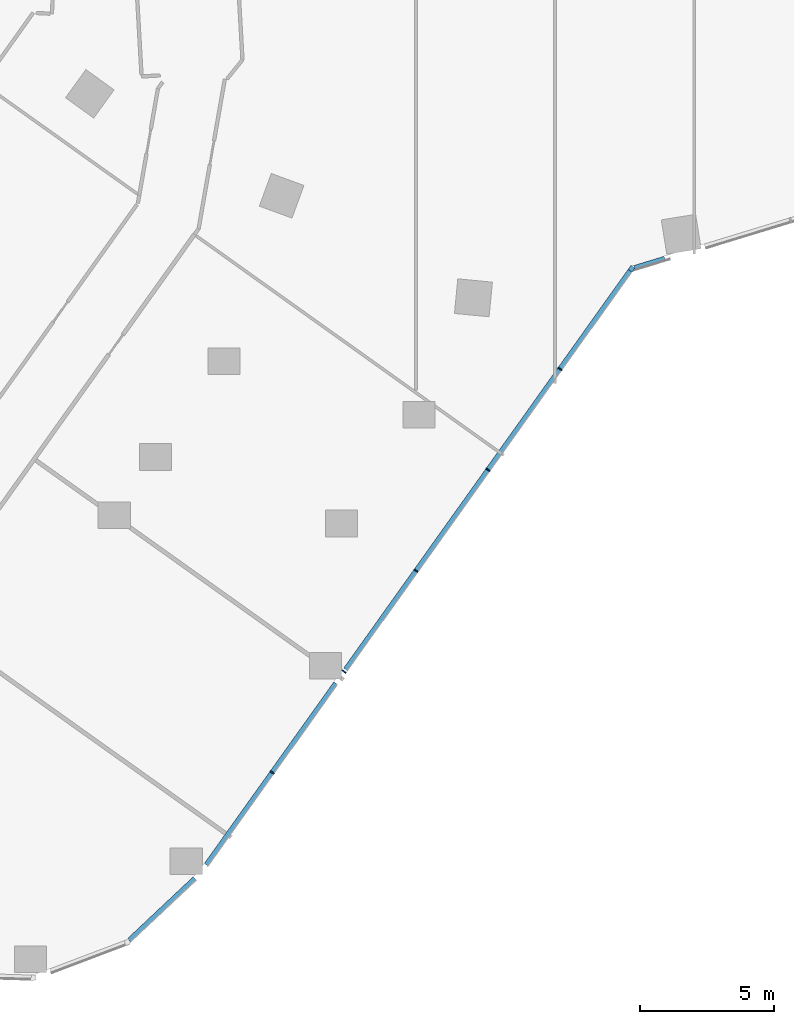
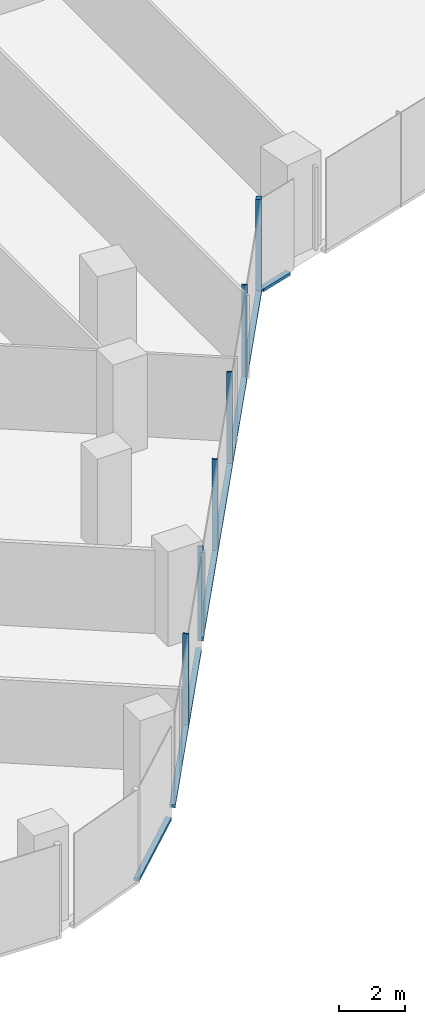
# One storey, part 5 of 31: 10 members, 3 elements without a shape of their own.
"""IFC4 building model written with IfcOpenShell, lengths in metres."""

from ifc_helpers import new_model, si_unit, direction, frame, origin, origin_2d, place, context, subcontext, project, spatial, rectangle, extrude, material, material_profile, profile_set, type_object, element, aggregate, save


model = new_model("IFC4")

# Units and contexts
model_context = context("Model", 3, precision=1e-05, world=origin(), true_north=direction((0.0, 1.0)))
body_context = subcontext(model_context, "Body", "Model", "MODEL_VIEW")
ifc_project = project(units=[si_unit("LENGTHUNIT", "METRE"), si_unit("AREAUNIT", "SQUARE_METRE"), si_unit("VOLUMEUNIT", "CUBIC_METRE"), si_unit("PLANEANGLEUNIT", "RADIAN"), si_unit("MASSUNIT", "GRAM", prefix="KILO")], contexts=[model_context])

# Site, building, storey
site_placement = place(None, origin())
site = spatial("IfcSite", under=ifc_project, at=site_placement, CompositionType="ELEMENT")
building_placement = place(site_placement, origin())
building = spatial("IfcBuilding", under=site, at=building_placement, Name="Orlundy Tower", CompositionType="ELEMENT")
storey_placement = place(building_placement, frame((0.0, 0.0, 87.699951171875)))
storey = spatial("IfcBuildingStorey", under=building, at=storey_placement, Name="L21", CompositionType="ELEMENT", Elevation=87.699951171875)

# Curtain wall, members
ifc_material_1 = material(Name="Aluminium bronze anodised", Category="aluminium")
curtain_wall_type = type_object("IfcCurtainWallType", Name="CW1 wall", PredefinedType="NOTDEFINED", material=ifc_material_1)
curtain_wall_1_placement = place(storey_placement, origin())
curtain_wall_1 = element("IfcCurtainWall", 1, at=curtain_wall_1_placement, inside=storey, type_object=curtain_wall_type, Name="CW1 run 018", PredefinedType="NOTDEFINED")
ifc_material_2 = material(Name="Aluminium bronze anodised", Category="aluminium")
ifc_material_profile_1 = material_profile(ifc_material_2, rectangle(XDim=0.179931640625, YDim=0.179931640625, at=origin_2d()), Name="CW1 corner post 180x180")
ifc_profile_set_1 = profile_set([ifc_material_profile_1], Name="Aluminium bronze anodised")
member_type_1 = type_object("IfcMemberType", Name="CW1 corner post 180x180", PredefinedType="MULLION", material=ifc_profile_set_1)
member_1_placement = place(storey_placement, frame((2.8564453125, -30.591064453125, -0.39990234375), z_axis=(0.0, 0.0, 1.0), x_axis=(0.814110230009, -0.580710369629, 0.0)))
member_1 = element("IfcMember", 2, at=member_1_placement, type_object=member_type_1, Name="CW1 mullion 51", PredefinedType="MULLION", context=body_context, shape_type="SweptSolid", body=[
    extrude(rectangle(XDim=0.179931640625, YDim=0.179931640625, at=origin_2d()), origin(), (0.0, 0.0, 1.0), 3.5),
])
ifc_material_3 = material(Name="Aluminium bronze anodised", Category="aluminium")
ifc_material_profile_2 = material_profile(ifc_material_3, rectangle(XDim=0.179931640625, YDim=0.050048828125, at=origin_2d()), Name="CW1 mullion 50x180")
ifc_profile_set_2 = profile_set([ifc_material_profile_2], Name="Aluminium bronze anodised")
member_type_2 = type_object("IfcMemberType", Name="CW1 mullion 50x180", PredefinedType="MULLION", material=ifc_profile_set_2)
member_2_placement = place(storey_placement, frame((0.18505859375, -34.336181640625, -0.39990234375), z_axis=(0.0, 0.0, 1.0), x_axis=(0.814110230009, -0.580710369629, 0.0)))
member_2 = element("IfcMember", 3, at=member_2_placement, type_object=member_type_2, Name="CW1 mullion 52", PredefinedType="MULLION", context=body_context, shape_type="SweptSolid", body=[
    extrude(rectangle(XDim=0.179931640625, YDim=0.050048828125, at=origin_2d()), origin(), (0.0, 0.0, 1.0), 3.5),
])
member_3_placement = place(storey_placement, frame((-2.504150390625, -38.106201171875, -0.39990234375), z_axis=(0.0, 0.0, 1.0), x_axis=(0.814110230009, -0.580710369629, 0.0)))
member_3 = element("IfcMember", 4, at=member_3_placement, type_object=member_type_2, Name="CW1 mullion 53", PredefinedType="MULLION", context=body_context, shape_type="SweptSolid", body=[
    extrude(rectangle(XDim=0.179931640625, YDim=0.050048828125, at=origin_2d()), origin(), (0.0, 0.0, 1.0), 3.5),
])
member_4_placement = place(storey_placement, frame((-5.193115234375, -41.876220703125, -0.39990234375), z_axis=(0.0, 0.0, 1.0), x_axis=(0.814110230009, -0.580710369629, 0.0)))
member_4 = element("IfcMember", 5, at=member_4_placement, type_object=member_type_2, Name="CW1 mullion 54", PredefinedType="MULLION", context=body_context, shape_type="SweptSolid", body=[
    extrude(rectangle(XDim=0.179931640625, YDim=0.050048828125, at=origin_2d()), origin(), (0.0, 0.0, 1.0), 3.5),
])
member_5_placement = place(storey_placement, frame((-7.88232421875, -45.646240234375, -0.39990234375), z_axis=(0.0, 0.0, 1.0), x_axis=(0.814110230009, -0.580710369629, 0.0)))
member_5 = element("IfcMember", 6, at=member_5_placement, type_object=member_type_2, Name="CW1 mullion 55", PredefinedType="MULLION", context=body_context, shape_type="SweptSolid", body=[
    extrude(rectangle(XDim=0.179931640625, YDim=0.050048828125, at=origin_2d()), origin(), (0.0, 0.0, 1.0), 3.5),
])
member_6_placement = place(storey_placement, frame((-10.571533203125, -49.416259765625, -0.39990234375), z_axis=(0.0, 0.0, 1.0), x_axis=(0.814110230009, -0.580710369629, 0.0)))
member_6 = element("IfcMember", 7, at=member_6_placement, type_object=member_type_2, Name="CW1 mullion 56", PredefinedType="MULLION", context=body_context, shape_type="SweptSolid", body=[
    extrude(rectangle(XDim=0.179931640625, YDim=0.050048828125, at=origin_2d()), origin(), (0.0, 0.0, 1.0), 3.5),
])

# Curtain wall, member
curtain_wall_2_placement = place(storey_placement, origin())
curtain_wall_2 = element("IfcCurtainWall", 8, at=curtain_wall_2_placement, inside=storey, type_object=curtain_wall_type, Name="CW1 run 017", PredefinedType="NOTDEFINED")
ifc_material_4 = material(Name="Aluminium bronze anodised", Category="aluminium")
ifc_material_profile_3 = material_profile(ifc_material_4, rectangle(XDim=0.179931640625, YDim=0.1201171875, at=origin_2d()), Name="CW1 transom 180x120")
ifc_profile_set_3 = profile_set([ifc_material_profile_3], Name="Aluminium bronze anodised")
member_type_3 = type_object("IfcMemberType", Name="CW1 transom 180x120", PredefinedType="USERDEFINED", material=ifc_profile_set_3)
member_7_placement = place(storey_placement, frame((4.099853515625, -30.211181640625, -0.33984375), z_axis=(-0.956364348349, -0.292176715718, 0.0), x_axis=(0.292176715718, -0.956364348349, 0.0)))
member_7 = element("IfcMember", 9, at=member_7_placement, type_object=member_type_3, Name="CW1 transom", ObjectType="TRANSOM", PredefinedType="USERDEFINED", context=body_context, shape_type="SweptSolid", body=[
    extrude(rectangle(XDim=0.179931640625, YDim=0.1201171875, at=origin_2d()), origin(), (0.0, 0.0, 1.0), 1.1865234375),
])
aggregate(curtain_wall_2, [member_7])

# Member
member_8_placement = place(storey_placement, frame((2.80419921875, -30.664306640625, -0.33984375), z_axis=(-0.580704410248, -0.814114480843, 0.0), x_axis=(0.814114480843, -0.580704410248, 0.0)))
member_8 = element("IfcMember", 10, at=member_8_placement, type_object=member_type_3, Name="CW1 transom", ObjectType="TRANSOM", PredefinedType="USERDEFINED", context=body_context, shape_type="SweptSolid", body=[
    extrude(rectangle(XDim=0.179931640625, YDim=0.1201171875, at=origin_2d()), origin(), (0.0, 0.0, 1.0), 18.3056640625),
])

member_9_placement = place(storey_placement, frame((-8.1923828125, -46.0810546875, -0.33984375), z_axis=(-0.580722740439, -0.814101405684, 0.0), x_axis=(0.814101405684, -0.580722740439, 0.0)))
member_9 = element("IfcMember", 11, at=member_9_placement, type_object=member_type_3, Name="CW1 transom", ObjectType="TRANSOM", PredefinedType="USERDEFINED", context=body_context, shape_type="SweptSolid", body=[
    extrude(rectangle(XDim=0.179931640625, YDim=0.1201171875, at=origin_2d()), origin(), (0.0, 0.0, 1.0), 8.33544921875),
])

aggregate(curtain_wall_1, [member_1, member_2, member_3, member_4, member_5, member_6, member_8, member_9])

# Curtain wall, member
curtain_wall_3_placement = place(storey_placement, origin())
curtain_wall_3 = element("IfcCurtainWall", 12, at=curtain_wall_3_placement, inside=storey, type_object=curtain_wall_type, Name="CW1 run 019", PredefinedType="NOTDEFINED")
member_10_placement = place(storey_placement, frame((-13.465087890625, -53.381103515625, -0.33984375), z_axis=(-0.728240499121, -0.685321658377, 0.0), x_axis=(0.685321658377, -0.728240499121, 0.0)))
member_10 = element("IfcMember", 13, at=member_10_placement, type_object=member_type_3, Name="CW1 transom", ObjectType="TRANSOM", PredefinedType="USERDEFINED", context=body_context, shape_type="SweptSolid", body=[
    extrude(rectangle(XDim=0.179931640625, YDim=0.1201171875, at=origin_2d()), origin(), (0.0, 0.0, 1.0), 3.36181640625),
])
aggregate(curtain_wall_3, [member_10])

save(model, "model.ifc")
